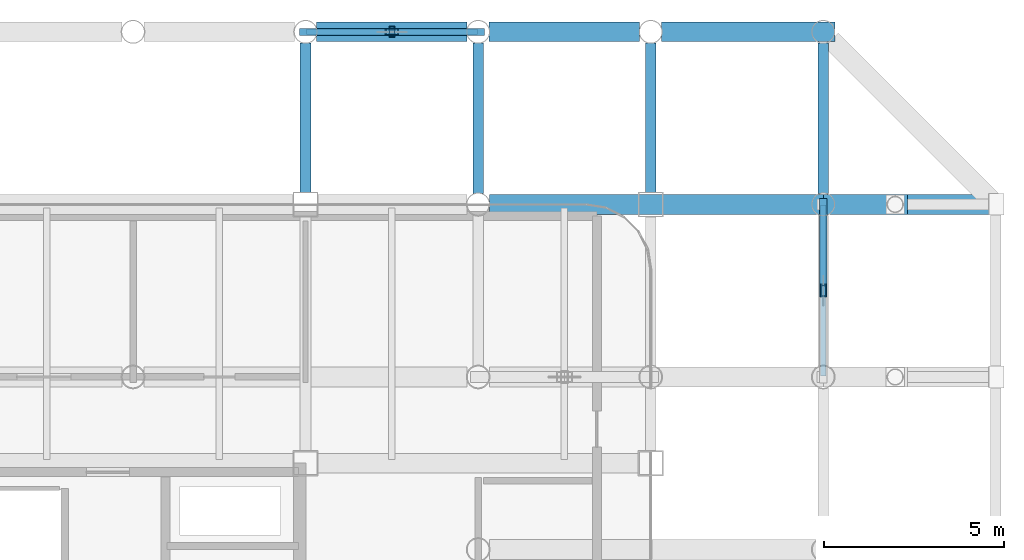
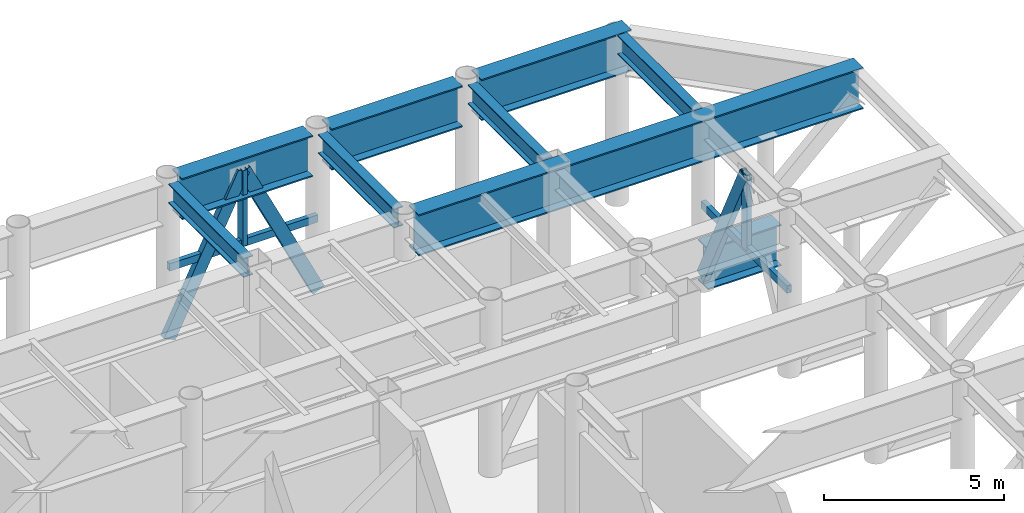
# One storey, part 11 of 20: 9 beams, 7 members.
"""IFC4 building model written with IfcOpenShell, lengths in metres."""

from ifc_helpers import new_model, si_unit, direction, frame, origin, origin_2d, place, context, subcontext, project, spatial, hollow_rectangle, i_section, extrude, material, material_profile, profile_set, type_object, element, save


model = new_model("IFC4")

# Units and contexts
model_context = context("Model", 3, precision=1e-05, world=origin(), true_north=direction((0.0, 1.0)))
body_context = subcontext(model_context, "Body", "Model", "MODEL_VIEW")
ifc_project = project(units=[si_unit("LENGTHUNIT", "METRE"), si_unit("AREAUNIT", "SQUARE_METRE"), si_unit("VOLUMEUNIT", "CUBIC_METRE"), si_unit("PLANEANGLEUNIT", "RADIAN"), si_unit("MASSUNIT", "GRAM", prefix="KILO")], contexts=[model_context])

# Site, building, storey
site_placement = place(None, origin())
site = spatial("IfcSite", under=ifc_project, at=site_placement, CompositionType="ELEMENT")
building_placement = place(site_placement, origin())
building = spatial("IfcBuilding", under=site, at=building_placement, Name="Kallvorn Hotel Tower", CompositionType="ELEMENT")
storey_placement = place(building_placement, frame((0.0, 0.0, 185.5)))
storey = spatial("IfcBuildingStorey", under=building, at=storey_placement, Name="L46", CompositionType="ELEMENT", Elevation=185.5)

# Beams
ifc_material_1 = material(Name="Structural steel S355JR", Category="steel")
ifc_material_profile_1 = material_profile(ifc_material_1, i_section(OverallWidth=0.300048828125, OverallDepth=0.64990234375, WebThickness=0.01611328125, FlangeThickness=0.031005859375, at=origin_2d()), Name="HE 650 B")
ifc_profile_set_1 = profile_set([ifc_material_profile_1], Name="Structural steel S355JR")
beam_type_1 = type_object("IfcBeamType", Name="BM_HE650B", PredefinedType="BEAM", material=ifc_profile_set_1)
beam_1_placement = place(storey_placement, frame((14.39990234375, 14.72509765625, 5.4951171875), z_axis=(0.0, 1.0, 0.0), x_axis=(-1.0, 0.0, 0.0)))
element("IfcBeam", 1, at=beam_1_placement, inside=storey, type_object=beam_type_1, Name="L47 Primary Y-Girder 135", PredefinedType="BEAM", context=body_context, shape_type="SweptSolid", body=[
    extrude(i_section(OverallWidth=0.300048828125, OverallDepth=0.64990234375, WebThickness=0.01611328125, FlangeThickness=0.031005859375, at=origin_2d()), origin(), (0.0, 0.0, 1.0), 4.169921875),
])
beam_2_placement = place(storey_placement, frame((19.199951171875, 14.705078125, 5.4951171875), z_axis=(0.0, 1.0, 0.0), x_axis=(-1.0, 0.0, 0.0)))
element("IfcBeam", 2, at=beam_2_placement, inside=storey, type_object=beam_type_1, Name="L47 Primary Y-Girder 144", PredefinedType="BEAM", context=body_context, shape_type="SweptSolid", body=[
    extrude(i_section(OverallWidth=0.300048828125, OverallDepth=0.64990234375, WebThickness=0.01611328125, FlangeThickness=0.031005859375, at=origin_2d()), origin(), (0.0, 0.0, 1.0), 4.18994140625),
])
beam_3_placement = place(storey_placement, frame((24.0, 14.72509765625, 5.4951171875), z_axis=(0.0, 1.0, 0.0), x_axis=(-1.0, 0.0, 0.0)))
element("IfcBeam", 3, at=beam_3_placement, inside=storey, type_object=beam_type_1, Name="L47 Primary Y-Girder 151", PredefinedType="BEAM", context=body_context, shape_type="SweptSolid", body=[
    extrude(i_section(OverallWidth=0.300048828125, OverallDepth=0.64990234375, WebThickness=0.01611328125, FlangeThickness=0.031005859375, at=origin_2d()), origin(), (0.0, 0.0, 1.0), 4.169921875),
])
beam_4_placement = place(storey_placement, frame((28.800048828125, 14.705078125, 5.4951171875), z_axis=(0.0, 1.0, 0.0), x_axis=(-1.0, 0.0, 0.0)))
element("IfcBeam", 4, at=beam_4_placement, inside=storey, type_object=beam_type_1, Name="L47 Primary Y-Girder 159", PredefinedType="BEAM", context=body_context, shape_type="SweptSolid", body=[
    extrude(i_section(OverallWidth=0.300048828125, OverallDepth=0.64990234375, WebThickness=0.01611328125, FlangeThickness=0.031005859375, at=origin_2d()), origin(), (0.0, 0.0, 1.0), 4.18994140625),
])
ifc_material_2 = material(Name="Structural steel S355JR", Category="steel")
ifc_material_profile_2 = material_profile(ifc_material_2, i_section(OverallWidth=0.550048828125, OverallDepth=1.39990234375, WebThickness=0.02490234375, FlangeThickness=0.044921875, at=origin_2d()), Name="PG 1400x550x25x45")
ifc_profile_set_2 = profile_set([ifc_material_profile_2], Name="Structural steel S355JR")
beam_type_2 = type_object("IfcBeamType", Name="BM_PG_1400", PredefinedType="BEAM", material=ifc_profile_set_2)
beam_5_placement = place(storey_placement, frame((19.52001953125, 14.39990234375, 5.1201171875), z_axis=(1.0, 0.0, 0.0), x_axis=(0.0, 1.0, 0.0)))
element("IfcBeam", 5, at=beam_5_placement, inside=storey, type_object=beam_type_2, Name="L47 Continuous Cantilever Transfer Girder 09", PredefinedType="BEAM", context=body_context, shape_type="SweptSolid", body=[
    extrude(i_section(OverallWidth=0.550048828125, OverallDepth=1.39990234375, WebThickness=0.02490234375, FlangeThickness=0.044921875, at=origin_2d()), origin(), (0.0, 0.0, 1.0), 14.260009765625),
])
beam_6_placement = place(storey_placement, frame((28.800048828125, 14.39990234375, 0.719970703125), z_axis=(1.0, 0.0, 0.0), x_axis=(0.0, 1.0, 0.0)))
element("IfcBeam", 6, at=beam_6_placement, inside=storey, type_object=beam_type_2, Name="L47 Cantilever Haunch Corbel 09", PredefinedType="BEAM", context=body_context, shape_type="SweptSolid", body=[
    extrude(i_section(OverallWidth=0.550048828125, OverallDepth=1.39990234375, WebThickness=0.02490234375, FlangeThickness=0.044921875, at=origin_2d()), origin(), (0.0, 0.0, 1.0), 2.349853515625),
])
beam_7_placement = place(storey_placement, frame((14.705078125, 19.199951171875, 5.1201171875), z_axis=(1.0, 0.0, 0.0), x_axis=(0.0, 1.0, 0.0)))
element("IfcBeam", 7, at=beam_7_placement, inside=storey, type_object=beam_type_2, Name="L47 Primary X-Girder 79", PredefinedType="BEAM", context=body_context, shape_type="SweptSolid", body=[
    extrude(i_section(OverallWidth=0.550048828125, OverallDepth=1.39990234375, WebThickness=0.02490234375, FlangeThickness=0.044921875, at=origin_2d()), origin(), (0.0, 0.0, 1.0), 4.18994140625),
])
beam_8_placement = place(storey_placement, frame((19.5048828125, 19.199951171875, 5.1201171875), z_axis=(1.0, 0.0, 0.0), x_axis=(0.0, 1.0, 0.0)))
element("IfcBeam", 8, at=beam_8_placement, inside=storey, type_object=beam_type_2, Name="L47 Primary X-Girder 80", PredefinedType="BEAM", context=body_context, shape_type="SweptSolid", body=[
    extrude(i_section(OverallWidth=0.550048828125, OverallDepth=1.39990234375, WebThickness=0.02490234375, FlangeThickness=0.044921875, at=origin_2d()), origin(), (0.0, 0.0, 1.0), 4.190185546875),
])
beam_9_placement = place(storey_placement, frame((24.304931640625, 19.199951171875, 5.1201171875), z_axis=(1.0, 0.0, 0.0), x_axis=(0.0, 1.0, 0.0)))
element("IfcBeam", 9, at=beam_9_placement, inside=storey, type_object=beam_type_2, Name="L47 Primary X-Girder 81", PredefinedType="BEAM", context=body_context, shape_type="SweptSolid", body=[
    extrude(i_section(OverallWidth=0.550048828125, OverallDepth=1.39990234375, WebThickness=0.02490234375, FlangeThickness=0.044921875, at=origin_2d()), origin(), (0.0, 0.0, 1.0), 4.815185546875),
])

# Members
ifc_material_3 = material(Name="Structural steel S355J2H", Category="steel")
ifc_material_profile_3 = material_profile(ifc_material_3, hollow_rectangle(XDim=0.199951171875, YDim=0.39990234375, WallThickness=0.02001953125, at=origin_2d()), Name="RHS 400x200x20")
ifc_profile_set_3 = profile_set([ifc_material_profile_3], Name="Structural steel S355J2H")
member_type_1 = type_object("IfcMemberType", Name="MBR_BELT_RHS400", PredefinedType="BRACE", material=ifc_profile_set_3)
member_1_placement = place(storey_placement, frame((14.40869140625, 19.199951171875, 0.367919921875), z_axis=(0.439167354297, 0.0, 0.898405273203), x_axis=(0.0, 1.0, 0.0)))
element("IfcMember", 10, at=member_1_placement, inside=storey, type_object=member_type_1, Name="L46 Belt Truss Diagonal 4A", PredefinedType="BRACE", context=body_context, shape_type="SweptSolid", body=[
    extrude(hollow_rectangle(XDim=0.199951171875, YDim=0.39990234375, WallThickness=0.02001953125, at=origin_2d()), origin(), (0.0, 0.0, 1.0), 5.42529296875),
])
for number, where, z_axis, x_axis, name in (
    (11, (19.191162109375, 19.199951171875, 0.367919921875), (-0.439131031257, 0.0, 0.898423028081), (0.0, -1.0, 0.0), "L46 Belt Truss Diagonal 4B"),
    (12, (28.800048828125, 14.39111328125, 0.367919921875), (0.0, -0.439131031257, 0.898423028081), (1.0, 0.0, 0.0), "L46 Belt Truss Diagonal 8B"),
):
    element("IfcMember", number, at=place(storey_placement, frame(where, z_axis=z_axis, x_axis=x_axis)), inside=storey, type_object=member_type_1, Name=name, PredefinedType="BRACE", context=body_context, shape_type="SweptSolid", body=[
        extrude(hollow_rectangle(XDim=0.199951171875, YDim=0.39990234375, WallThickness=0.02001953125, at=origin_2d()), origin(), (0.0, 0.0, 1.0), 5.425048828125),
    ])
ifc_material_4 = material(Name="Structural steel S355J2H", Category="steel")
ifc_material_profile_4 = material_profile(ifc_material_4, hollow_rectangle(XDim=0.14990234375, YDim=0.25, WallThickness=0.010009765625, at=origin_2d()), Name="RHS 250x150x10")
ifc_profile_set_4 = profile_set([ifc_material_profile_4], Name="Structural steel S355J2H")
member_type_2 = type_object("IfcMemberType", Name="MBR_COLLAR_RHS250", PredefinedType="COLLAR", material=ifc_profile_set_4)
member_2_placement = place(storey_placement, frame((14.419921875, 19.199951171875, 2.784912109375), z_axis=(1.0, 0.0, 0.0), x_axis=(0.0, 1.0, 0.0)))
element("IfcMember", 13, at=member_2_placement, inside=storey, type_object=member_type_2, Name="L46 Belt Truss Tie Collar 4", PredefinedType="COLLAR", context=body_context, shape_type="SweptSolid", body=[
    extrude(hollow_rectangle(XDim=0.14990234375, YDim=0.25, WallThickness=0.010009765625, at=origin_2d()), origin(), (0.0, 0.0, 1.0), 4.760009765625),
])
member_3_placement = place(storey_placement, frame((28.800048828125, 9.6201171875, 2.784912109375), z_axis=(0.0, 1.0, 0.0), x_axis=(-1.0, 0.0, 0.0)))
element("IfcMember", 14, at=member_3_placement, inside=storey, type_object=member_type_2, Name="L46 Belt Truss Tie Collar 8", PredefinedType="COLLAR", context=body_context, shape_type="SweptSolid", body=[
    extrude(hollow_rectangle(XDim=0.14990234375, YDim=0.25, WallThickness=0.010009765625, at=origin_2d()), origin(), (0.0, 0.0, 1.0), 4.759765625),
])
ifc_material_5 = material(Name="Structural steel S355J2H", Category="steel")
ifc_material_profile_5 = material_profile(ifc_material_5, hollow_rectangle(XDim=0.14990234375, YDim=0.300048828125, WallThickness=0.012451171875, at=origin_2d()), Name="RHS 300x150x12.5")
ifc_profile_set_5 = profile_set([ifc_material_profile_5], Name="Structural steel S355J2H")
member_type_3 = type_object("IfcMemberType", Name="MBR_STRUT_RHS300", PredefinedType="STRUT", material=ifc_profile_set_5)
for number, where, z_axis, x_axis, name in (
    (15, (16.800048828125, 19.199951171875, 2.735107421875), (0.0, 0.0, 1.0), (1.0, 0.0, 0.0), "L46 Belt Truss Strut 4"),
    (16, (28.800048828125, 12.0, 2.735107421875), (0.0, 0.0, 1.0), (1.0, 0.0, 0.0), "L46 Belt Truss Strut 8"),
):
    element("IfcMember", number, at=place(storey_placement, frame(where, z_axis=z_axis, x_axis=x_axis)), inside=storey, type_object=member_type_3, Name=name, PredefinedType="STRUT", context=body_context, shape_type="SweptSolid", body=[
        extrude(hollow_rectangle(XDim=0.14990234375, YDim=0.300048828125, WallThickness=0.012451171875, at=origin_2d()), origin(), (0.0, 0.0, 1.0), 2.56494140625),
    ])

save(model, "model.ifc")
